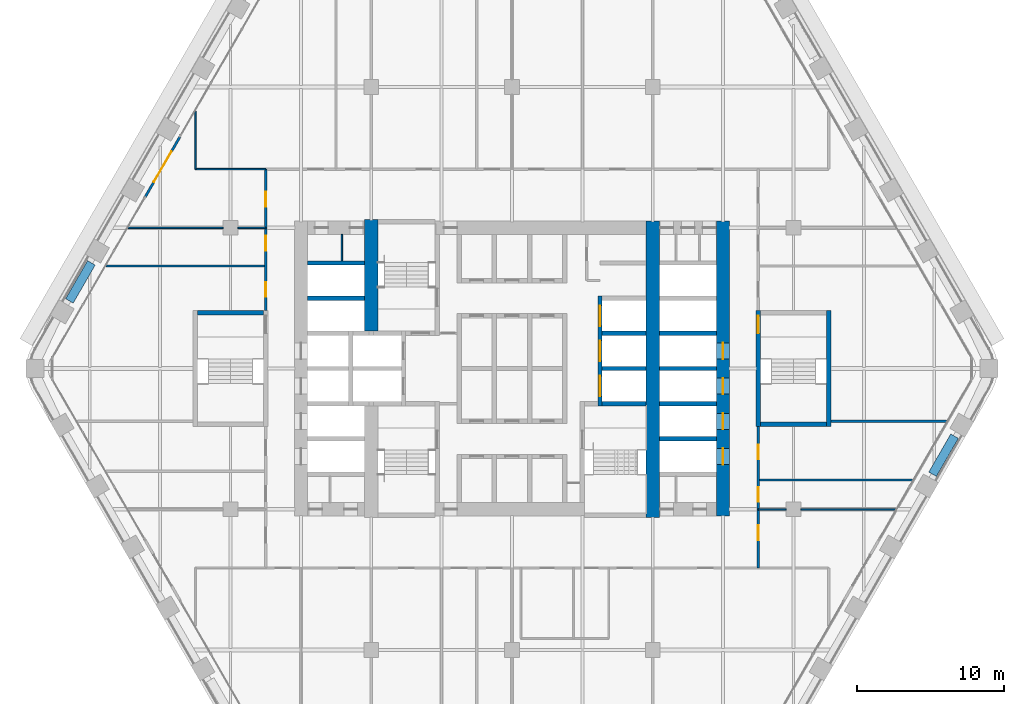
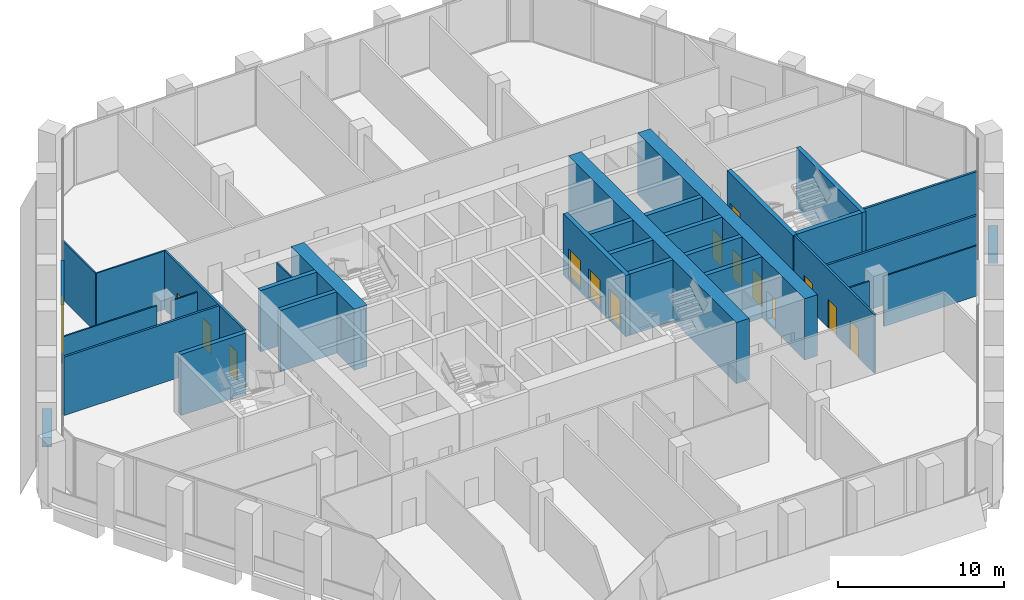
# One storey, part 15 of 23: 32 walls, 15 doors, 15 openings.
"""IFC4 building model written with IfcOpenShell, lengths in metres."""

from ifc_helpers import new_model, si_unit, direction, frame, frame_2d, origin, place, context, subcontext, project, spatial, rectangle, extrude, material, layer, layer_set, type_object, element, fill, save


model = new_model("IFC4")

# Units and contexts
model_context = context("Model", 3, precision=1e-05, world=origin(), true_north=direction((0.0, 1.0)))
body_context = subcontext(model_context, "Body", "Model", "MODEL_VIEW")
ifc_project = project(units=[si_unit("LENGTHUNIT", "METRE"), si_unit("AREAUNIT", "SQUARE_METRE"), si_unit("VOLUMEUNIT", "CUBIC_METRE"), si_unit("PLANEANGLEUNIT", "RADIAN"), si_unit("MASSUNIT", "GRAM", prefix="KILO")], contexts=[model_context])

# Site, building, storey
site_placement = place(None, origin())
site = spatial("IfcSite", under=ifc_project, at=site_placement, CompositionType="ELEMENT")
building_placement = place(site_placement, origin())
building = spatial("IfcBuilding", under=site, at=building_placement, Name="Kolab Exchange Tower", CompositionType="ELEMENT")
storey_placement = place(building_placement, frame((0.0, 0.0, 100.39990234375)))
storey = spatial("IfcBuildingStorey", under=building, at=storey_placement, Name="L19", CompositionType="ELEMENT", Elevation=100.39990234375)

# Walls
ifc_material_1 = material(Name="Concrete C70/85", Category="concrete")
ifc_layer_1 = layer(ifc_material_1, 0.89990234375)
ifc_layer_set_1 = layer_set([ifc_layer_1], Name="Concrete C70/85")
wall_type_1 = type_object("IfcWallType", Name="CORE WALL 900 C70/85", PredefinedType="SHEAR", material=ifc_layer_set_1)
wall_1_placement = place(storey_placement, frame((-9.60009765625, 2.550048828125, -0.199951171875), z_axis=(0.0, 0.0, 1.0), x_axis=(0.0, 1.0, 0.0)))
element("IfcWall", 1, at=wall_1_placement, inside=storey, type_object=wall_type_1, Name="wall/L19/core/062", PredefinedType="SHEAR", context=body_context, shape_type="SweptSolid", body=[
    extrude(rectangle(XDim=7.599853515625, YDim=0.89990234375, at=frame_2d((3.7998046875, 0.0))), origin(), (0.0, 0.0, 1.0), 4.5),
])
wall_2_placement = place(storey_placement, frame((9.60009765625, -10.14990234375, -0.199951171875), z_axis=(0.0, 0.0, 1.0), x_axis=(0.0, 1.0, 0.0)))
element("IfcWall", 2, at=wall_2_placement, inside=storey, type_object=wall_type_1, Name="wall/L19/core/080", PredefinedType="SHEAR", context=body_context, shape_type="SweptSolid", body=[
    extrude(rectangle(XDim=20.199951171875, YDim=0.89990234375, at=frame_2d((10.10009765625, 0.0))), origin(), (0.0, 0.0, 1.0), 4.5),
])

# Wall, openings, doors
wall_3_placement = place(storey_placement, frame((14.39990234375, -10.050048828125, -0.199951171875), z_axis=(0.0, 0.0, 1.0), x_axis=(0.0, 1.0, 0.0)))
wall_3 = element("IfcWall", 3, at=wall_3_placement, inside=storey, type_object=wall_type_1, Name="wall/L19/core/081", PredefinedType="SHEAR", context=body_context, shape_type="SweptSolid", body=[
    extrude(rectangle(XDim=20.10009765625, YDim=0.89990234375, at=frame_2d((10.050048828125, 0.0))), origin(), (0.0, 0.0, 1.0), 4.5),
])
opening_1_placement = place(wall_3_placement, frame((3.5, 0.0, 0.199951171875)))
opening_1 = element("IfcOpeningElement", 4, at=opening_1_placement, cuts=wall_3, Name="Opening LD1-069", PredefinedType="OPENING", context=body_context, shape_type="SweptSolid", body=[
    extrude(rectangle(XDim=1.10009765625, YDim=2.10009765625, at=frame_2d((0.550048828125, 1.050048828125))), frame((0.0, 0.4599609375, 0.0), z_axis=(0.0, -1.0, 0.0), x_axis=(1.0, 0.0, 0.0)), (0.0, 0.0, 1.0), 0.919921875),
])
opening_2_placement = place(wall_3_placement, frame((5.89990234375, 0.0, 0.199951171875)))
opening_2 = element("IfcOpeningElement", 5, at=opening_2_placement, cuts=wall_3, Name="Opening LD1-070", PredefinedType="OPENING", context=body_context, shape_type="SweptSolid", body=[
    extrude(rectangle(XDim=1.10009765625, YDim=2.10009765625, at=frame_2d((0.550048828125, 1.050048828125))), frame((0.0, 0.4599609375, 0.0), z_axis=(0.0, -1.0, 0.0), x_axis=(1.0, 0.0, 0.0)), (0.0, 0.0, 1.0), 0.919921875),
])
opening_3_placement = place(wall_3_placement, frame((8.300048828125, 0.0, 0.199951171875)))
opening_3 = element("IfcOpeningElement", 6, at=opening_3_placement, cuts=wall_3, Name="Opening LD1-071", PredefinedType="OPENING", context=body_context, shape_type="SweptSolid", body=[
    extrude(rectangle(XDim=1.10009765625, YDim=2.10009765625, at=frame_2d((0.550048828125, 1.050048828125))), frame((0.0, 0.4599609375, 0.0), z_axis=(0.0, -1.0, 0.0), x_axis=(1.0, 0.0, 0.0)), (0.0, 0.0, 1.0), 0.919921875),
])
opening_4_placement = place(wall_3_placement, frame((10.699951171875, 0.0, 0.199951171875)))
opening_4 = element("IfcOpeningElement", 7, at=opening_4_placement, cuts=wall_3, Name="Opening LD1-072", PredefinedType="OPENING", context=body_context, shape_type="SweptSolid", body=[
    extrude(rectangle(XDim=1.10009765625, YDim=2.10009765625, at=frame_2d((0.550048828125, 1.050048828125))), frame((0.0, 0.4599609375, 0.0), z_axis=(0.0, -1.0, 0.0), x_axis=(1.0, 0.0, 0.0)), (0.0, 0.0, 1.0), 0.919921875),
])
ifc_material_2 = material(Name="Stainless steel 316", Category="steel")
door_type_1 = type_object("IfcDoorType", Name="LANDING DOOR 1100 PASSENGER", OperationType="DOUBLE_DOOR_SLIDING", PredefinedType="DOOR", material=ifc_material_2)
door_1_placement = place(opening_1_placement, origin())
door_1 = element("IfcDoor", 8, at=door_1_placement, inside=storey, type_object=door_type_1, Name="Landing door LR1", OperationType="DOUBLE_DOOR_SLIDING", OverallHeight=2.10009765625, OverallWidth=1.10009765625, PredefinedType="DOOR", context=body_context, shape_type="SweptSolid", body=[
    extrude(rectangle(XDim=1.10009765625, YDim=2.10009765625, at=frame_2d((0.550048828125, 1.050048828125))), frame((0.0, 0.02490234375, 0.0), z_axis=(0.0, -1.0, 0.0), x_axis=(1.0, 0.0, 0.0)), (0.0, 0.0, 1.0), 0.050048828125),
])
fill(opening_1, door_1)
door_2_placement = place(opening_2_placement, origin())
door_2 = element("IfcDoor", 9, at=door_2_placement, inside=storey, type_object=door_type_1, Name="Landing door LR2", OperationType="DOUBLE_DOOR_SLIDING", OverallHeight=2.10009765625, OverallWidth=1.10009765625, PredefinedType="DOOR", context=body_context, shape_type="SweptSolid", body=[
    extrude(rectangle(XDim=1.10009765625, YDim=2.10009765625, at=frame_2d((0.550048828125, 1.050048828125))), frame((0.0, 0.02490234375, 0.0), z_axis=(0.0, -1.0, 0.0), x_axis=(1.0, 0.0, 0.0)), (0.0, 0.0, 1.0), 0.050048828125),
])
fill(opening_2, door_2)
door_3_placement = place(opening_3_placement, origin())
door_3 = element("IfcDoor", 10, at=door_3_placement, inside=storey, type_object=door_type_1, Name="Landing door LR3", OperationType="DOUBLE_DOOR_SLIDING", OverallHeight=2.10009765625, OverallWidth=1.10009765625, PredefinedType="DOOR", context=body_context, shape_type="SweptSolid", body=[
    extrude(rectangle(XDim=1.10009765625, YDim=2.10009765625, at=frame_2d((0.550048828125, 1.050048828125))), frame((0.0, 0.02490234375, 0.0), z_axis=(0.0, -1.0, 0.0), x_axis=(1.0, 0.0, 0.0)), (0.0, 0.0, 1.0), 0.050048828125),
])
fill(opening_3, door_3)
door_4_placement = place(opening_4_placement, origin())
door_4 = element("IfcDoor", 11, at=door_4_placement, inside=storey, type_object=door_type_1, Name="Landing door LR4", OperationType="DOUBLE_DOOR_SLIDING", OverallHeight=2.10009765625, OverallWidth=1.10009765625, PredefinedType="DOOR", context=body_context, shape_type="SweptSolid", body=[
    extrude(rectangle(XDim=1.10009765625, YDim=2.10009765625, at=frame_2d((0.550048828125, 1.050048828125))), frame((0.0, 0.02490234375, 0.0), z_axis=(0.0, -1.0, 0.0), x_axis=(1.0, 0.0, 0.0)), (0.0, 0.0, 1.0), 0.050048828125),
])
fill(opening_4, door_4)

# Wall, opening, door
ifc_material_3 = material(Name="Aluminium EN AW-6063 T6", Category="aluminium")
ifc_layer_2 = layer(ifc_material_3, 0.159912109375)
ifc_layer_set_2 = layer_set([ifc_layer_2], Name="Aluminium EN AW-6063 T6")
wall_type_2 = type_object("IfcWallType", Name="DOOR SURROUND WALL 160 ALUMINIUM FRAMED", PredefinedType="PARTITIONING", material=ifc_layer_set_2)
wall_4_placement = place(storey_placement, frame((-25.0166015625, 11.706787109375, 0.0), z_axis=(0.0, 0.0, 1.0), x_axis=(0.499978080042, 0.866038058908, 0.0)))
wall_4 = element("IfcWall", 12, at=wall_4_placement, inside=storey, type_object=wall_type_2, Name="Door surround wall", PredefinedType="PARTITIONING", context=body_context, shape_type="SweptSolid", body=[
    extrude(rectangle(XDim=4.739990234375, YDim=0.159912109375, at=frame_2d((2.3701171875, 0.0))), origin(), (0.0, 0.0, 1.0), 4.300048828125),
])
opening_5_placement = place(wall_4_placement, frame((1.169921875, 0.0, 0.0)))
opening_5 = element("IfcOpeningElement", 13, at=opening_5_placement, cuts=wall_4, Name="Opening GD1-039", PredefinedType="OPENING", context=body_context, shape_type="SweptSolid", body=[
    extrude(rectangle(XDim=2.39990234375, YDim=2.39990234375, at=frame_2d((1.199951171875, 1.199951171875))), frame((0.0, 0.08984375, 0.0), z_axis=(0.0, -1.0, 0.0), x_axis=(1.0, 0.0, 0.0)), (0.0, 0.0, 1.0), 0.179931640625),
])
door_type_2 = type_object("IfcDoorType", Name="LOGGIA SLIDING GLASS DOOR 2400 X 2400", OperationType="DOUBLE_DOOR_SINGLE_SWING", PredefinedType="DOOR", material=ifc_material_3)
door_5_placement = place(opening_5_placement, origin())
door_5 = element("IfcDoor", 14, at=door_5_placement, inside=storey, type_object=door_type_2, Name="Loggia door", OperationType="DOUBLE_DOOR_SLIDING", OverallHeight=2.39990234375, OverallWidth=2.39990234375, PredefinedType="DOOR", context=body_context, shape_type="SweptSolid", body=[
    extrude(rectangle(XDim=2.39990234375, YDim=2.39990234375, at=frame_2d((1.199951171875, 1.199951171875))), frame((0.0, 0.02490234375, 0.0), z_axis=(0.0, -1.0, 0.0), x_axis=(1.0, 0.0, 0.0)), (0.0, 0.0, 1.0), 0.050048828125),
])
fill(opening_5, door_5)

# Walls
ifc_material_4 = material(Name="Concrete C50/60", Category="concrete")
ifc_layer_3 = layer(ifc_material_4, 0.300048828125)
ifc_layer_set_3 = layer_set([ifc_layer_3], Name="Concrete C50/60")
wall_type_3 = type_object("IfcWallType", Name="LIFT SHAFT WALL 300 C50/60", PredefinedType="STANDARD", material=ifc_layer_set_3)
for number, where, z_axis, x_axis, name in (
    (15, (10.050048828125, -4.800048828125, -0.199951171875), (0.0, 0.0, 1.0), (1.0, 0.0, 0.0), "wall/L19/core/011"),
    (16, (10.050048828125, -2.39990234375, -0.199951171875), (0.0, 0.0, 1.0), (1.0, 0.0, 0.0), "wall/L19/core/023"),
):
    element("IfcWall", number, at=place(storey_placement, frame(where, z_axis=z_axis, x_axis=x_axis)), inside=storey, type_object=wall_type_3, Name=name, PredefinedType="STANDARD", context=body_context, shape_type="SweptSolid", body=[
        extrude(rectangle(XDim=3.89990234375, YDim=0.300048828125, at=frame_2d((1.949951171875, 0.0))), origin(), (0.0, 0.0, 1.0), 4.5),
    ])
wall_5_placement = place(storey_placement, frame((6.14990234375, 0.0, -0.199951171875), z_axis=(0.0, 0.0, 1.0), x_axis=(1.0, 0.0, 0.0)))
element("IfcWall", 17, at=wall_5_placement, inside=storey, type_object=wall_type_3, Name="wall/L19/core/029", PredefinedType="STANDARD", context=body_context, shape_type="SweptSolid", body=[
    extrude(rectangle(XDim=3.0, YDim=0.300048828125, at=frame_2d((1.5, 0.0))), origin(), (0.0, 0.0, 1.0), 4.5),
])
wall_6_placement = place(storey_placement, frame((10.050048828125, 0.0, -0.199951171875), z_axis=(0.0, 0.0, 1.0), x_axis=(1.0, 0.0, 0.0)))
element("IfcWall", 18, at=wall_6_placement, inside=storey, type_object=wall_type_3, Name="wall/L19/core/030", PredefinedType="STANDARD", context=body_context, shape_type="SweptSolid", body=[
    extrude(rectangle(XDim=3.89990234375, YDim=0.300048828125, at=frame_2d((1.949951171875, 0.0))), origin(), (0.0, 0.0, 1.0), 4.5),
])
wall_7_placement = place(storey_placement, frame((6.14990234375, 2.39990234375, -0.199951171875), z_axis=(0.0, 0.0, 1.0), x_axis=(1.0, 0.0, 0.0)))
element("IfcWall", 19, at=wall_7_placement, inside=storey, type_object=wall_type_3, Name="wall/L19/core/035", PredefinedType="STANDARD", context=body_context, shape_type="SweptSolid", body=[
    extrude(rectangle(XDim=3.0, YDim=0.300048828125, at=frame_2d((1.5, 0.0))), origin(), (0.0, 0.0, 1.0), 4.5),
])
for number, where, z_axis, x_axis, name in (
    (20, (10.050048828125, 2.39990234375, -0.199951171875), (0.0, 0.0, 1.0), (1.0, 0.0, 0.0), "wall/L19/core/036"),
    (21, (-13.949951171875, 4.800048828125, -0.199951171875), (0.0, 0.0, 1.0), (1.0, 0.0, 0.0), "wall/L19/core/042"),
    (22, (-13.949951171875, 7.199951171875, -0.199951171875), (0.0, 0.0, 1.0), (1.0, 0.0, 0.0), "wall/L19/core/048"),
):
    element("IfcWall", number, at=place(storey_placement, frame(where, z_axis=z_axis, x_axis=x_axis)), inside=storey, type_object=wall_type_3, Name=name, PredefinedType="STANDARD", context=body_context, shape_type="SweptSolid", body=[
        extrude(rectangle(XDim=3.89990234375, YDim=0.300048828125, at=frame_2d((1.949951171875, 0.0))), origin(), (0.0, 0.0, 1.0), 4.5),
    ])

# Wall, openings, doors
wall_8_placement = place(storey_placement, frame((6.0, -2.550048828125, -0.199951171875), z_axis=(0.0, 0.0, 1.0), x_axis=(0.0, 1.0, 0.0)))
wall_8 = element("IfcWall", 23, at=wall_8_placement, inside=storey, type_object=wall_type_3, Name="wall/L19/core/079", PredefinedType="STANDARD", context=body_context, shape_type="SweptSolid", body=[
    extrude(rectangle(XDim=7.5, YDim=0.300048828125, at=frame_2d((3.75, 0.0))), origin(), (0.0, 0.0, 1.0), 4.5),
])
opening_6_placement = place(wall_8_placement, frame((0.64990234375, 0.0, 0.199951171875)))
opening_6 = element("IfcOpeningElement", 24, at=opening_6_placement, cuts=wall_8, Name="Opening LD3-025", PredefinedType="OPENING", context=body_context, shape_type="SweptSolid", body=[
    extrude(rectangle(XDim=1.39990234375, YDim=2.10009765625, at=frame_2d((0.699951171875, 1.050048828125))), frame((0.0, 0.16015625, 0.0), z_axis=(0.0, -1.0, 0.0), x_axis=(1.0, 0.0, 0.0)), (0.0, 0.0, 1.0), 0.320068359375),
])
opening_7_placement = place(wall_8_placement, frame((3.050048828125, 0.0, 0.199951171875)))
opening_7 = element("IfcOpeningElement", 25, at=opening_7_placement, cuts=wall_8, Name="Opening LD3-026", PredefinedType="OPENING", context=body_context, shape_type="SweptSolid", body=[
    extrude(rectangle(XDim=1.39990234375, YDim=2.10009765625, at=frame_2d((0.699951171875, 1.050048828125))), frame((0.0, 0.16015625, 0.0), z_axis=(0.0, -1.0, 0.0), x_axis=(1.0, 0.0, 0.0)), (0.0, 0.0, 1.0), 0.320068359375),
])
opening_8_placement = place(wall_8_placement, frame((5.449951171875, 0.0, 0.199951171875)))
opening_8 = element("IfcOpeningElement", 26, at=opening_8_placement, cuts=wall_8, Name="Opening LD3-027", PredefinedType="OPENING", context=body_context, shape_type="SweptSolid", body=[
    extrude(rectangle(XDim=1.39990234375, YDim=2.10009765625, at=frame_2d((0.699951171875, 1.050048828125))), frame((0.0, 0.16015625, 0.0), z_axis=(0.0, -1.0, 0.0), x_axis=(1.0, 0.0, 0.0)), (0.0, 0.0, 1.0), 0.320068359375),
])
door_type_3 = type_object("IfcDoorType", Name="LANDING DOOR 1400 SERVICE", OperationType="DOUBLE_DOOR_SLIDING", PredefinedType="DOOR", material=ifc_material_2)
door_6_placement = place(opening_6_placement, origin())
door_6 = element("IfcDoor", 27, at=door_6_placement, inside=storey, type_object=door_type_3, Name="Landing door SV1", OperationType="DOUBLE_DOOR_SLIDING", OverallHeight=2.10009765625, OverallWidth=1.39990234375, PredefinedType="DOOR", context=body_context, shape_type="SweptSolid", body=[
    extrude(rectangle(XDim=1.39990234375, YDim=2.10009765625, at=frame_2d((0.699951171875, 1.050048828125))), frame((0.0, 0.02490234375, 0.0), z_axis=(0.0, -1.0, 0.0), x_axis=(1.0, 0.0, 0.0)), (0.0, 0.0, 1.0), 0.050048828125),
])
fill(opening_6, door_6)
door_7_placement = place(opening_7_placement, origin())
door_7 = element("IfcDoor", 28, at=door_7_placement, inside=storey, type_object=door_type_3, Name="Landing door SV2", OperationType="DOUBLE_DOOR_SLIDING", OverallHeight=2.10009765625, OverallWidth=1.39990234375, PredefinedType="DOOR", context=body_context, shape_type="SweptSolid", body=[
    extrude(rectangle(XDim=1.39990234375, YDim=2.10009765625, at=frame_2d((0.699951171875, 1.050048828125))), frame((0.0, 0.02490234375, 0.0), z_axis=(0.0, -1.0, 0.0), x_axis=(1.0, 0.0, 0.0)), (0.0, 0.0, 1.0), 0.050048828125),
])
fill(opening_7, door_7)
door_8_placement = place(opening_8_placement, origin())
door_8 = element("IfcDoor", 29, at=door_8_placement, inside=storey, type_object=door_type_3, Name="Landing door SV3", OperationType="DOUBLE_DOOR_SLIDING", OverallHeight=2.10009765625, OverallWidth=1.39990234375, PredefinedType="DOOR", context=body_context, shape_type="SweptSolid", body=[
    extrude(rectangle(XDim=1.39990234375, YDim=2.10009765625, at=frame_2d((0.699951171875, 1.050048828125))), frame((0.0, 0.02490234375, 0.0), z_axis=(0.0, -1.0, 0.0), x_axis=(1.0, 0.0, 0.0)), (0.0, 0.0, 1.0), 0.050048828125),
])
fill(opening_8, door_8)

# Walls
ifc_material_5 = material(Name="Gypsum board", Category="gypsum")
ifc_layer_4 = layer(ifc_material_5, 0.10009765625)
ifc_layer_set_4 = layer_set([ifc_layer_4], Name="Gypsum board")
wall_type_4 = type_object("IfcWallType", Name="PARTITION 100", PredefinedType="PARTITIONING", material=ifc_layer_set_4)
wall_9_placement = place(storey_placement, frame((-11.60009765625, 7.35009765625, 0.0), z_axis=(0.0, 0.0, 1.0), x_axis=(0.0, 1.0, 0.0)))
element("IfcWall", 30, at=wall_9_placement, inside=storey, type_object=wall_type_4, Name="Partition 027", PredefinedType="PARTITIONING", context=body_context, shape_type="SweptSolid", body=[
    extrude(rectangle(XDim=1.7998046875, YDim=0.10009765625, at=frame_2d((0.89990234375, 0.0))), origin(), (0.0, 0.0, 1.0), 4.300048828125),
])
wall_10_placement = place(storey_placement, frame((-21.60009765625, 13.60009765625, 0.0), z_axis=(0.0, 0.0, 1.0), x_axis=(0.0, 1.0, 0.0)))
element("IfcWall", 31, at=wall_10_placement, inside=storey, type_object=wall_type_4, Name="Partition 034", PredefinedType="PARTITIONING", context=body_context, shape_type="SweptSolid", body=[
    extrude(rectangle(XDim=3.944580078125, YDim=0.10009765625, at=frame_2d((1.97216796875, 0.0))), origin(), (0.0, 0.0, 1.0), 4.300048828125),
])
wall_11_placement = place(storey_placement, frame((16.800048828125, -9.60009765625, 0.0), z_axis=(0.0, 0.0, 1.0), x_axis=(1.0, 0.0, 0.0)))
element("IfcWall", 32, at=wall_11_placement, inside=storey, type_object=wall_type_4, Name="Partition 040", PredefinedType="PARTITIONING", context=body_context, shape_type="SweptSolid", body=[
    extrude(rectangle(XDim=1.89990234375, YDim=0.10009765625, at=frame_2d((0.949951171875, 0.0))), origin(), (0.0, 0.0, 1.0), 3.692138671875),
])
for number, where, z_axis, x_axis, name in (
    (33, (19.699951171875, -9.60009765625, 0.0), (0.0, 0.0, 1.0), (1.0, 0.0, 0.0), "Partition 041"),
    (34, (-26.186767578125, 9.60009765625, 0.0), (0.0, 0.0, 1.0), (1.0, 0.0, 0.0), "Partition 050"),
):
    element("IfcWall", number, at=place(storey_placement, frame(where, z_axis=z_axis, x_axis=x_axis)), inside=storey, type_object=wall_type_4, Name=name, PredefinedType="PARTITIONING", context=body_context, shape_type="SweptSolid", body=[
        extrude(rectangle(XDim=6.48681640625, YDim=0.10009765625, at=frame_2d((3.243408203125, 0.0))), origin(), (0.0, 0.0, 1.0), 3.692138671875),
    ])
wall_12_placement = place(storey_placement, frame((-18.699951171875, 9.60009765625, 0.0), z_axis=(0.0, 0.0, 1.0), x_axis=(1.0, 0.0, 0.0)))
element("IfcWall", 35, at=wall_12_placement, inside=storey, type_object=wall_type_4, Name="Partition 051", PredefinedType="PARTITIONING", context=body_context, shape_type="SweptSolid", body=[
    extrude(rectangle(XDim=1.89990234375, YDim=0.10009765625, at=frame_2d((0.949951171875, 0.0))), origin(), (0.0, 0.0, 1.0), 3.692138671875),
])
wall_13_placement = place(storey_placement, frame((-21.60009765625, 13.60009765625, 0.0), z_axis=(0.0, 0.0, 1.0), x_axis=(1.0, 0.0, 0.0)))
element("IfcWall", 36, at=wall_13_placement, inside=storey, type_object=wall_type_4, Name="Partition 054", PredefinedType="PARTITIONING", context=body_context, shape_type="SweptSolid", body=[
    extrude(rectangle(XDim=4.800048828125, YDim=0.10009765625, at=frame_2d((2.39990234375, 0.0))), origin(), (0.0, 0.0, 1.0), 4.300048828125),
])

# Wall, openings, doors
ifc_layer_5 = layer(ifc_material_5, 0.14990234375)
ifc_layer_set_5 = layer_set([ifc_layer_5], Name="Gypsum board")
wall_type_5 = type_object("IfcWallType", Name="PARTITION 150 FIRE-RATED", PredefinedType="PARTITIONING", material=ifc_layer_set_5)
wall_14_placement = place(storey_placement, frame((16.800048828125, -13.60009765625, 0.0), z_axis=(0.0, 0.0, 1.0), x_axis=(0.0, 1.0, 0.0)))
wall_14 = element("IfcWall", 37, at=wall_14_placement, inside=storey, type_object=wall_type_5, Name="Partition 002", PredefinedType="PARTITIONING", context=body_context, shape_type="SweptSolid", body=[
    extrude(rectangle(XDim=9.650146484375, YDim=0.14990234375, at=frame_2d((4.8251953125, 0.0))), origin(), (0.0, 0.0, 1.0), 4.300048828125),
])
opening_9_placement = place(wall_14_placement, frame((1.89501953125, 0.0, 0.0)))
opening_9 = element("IfcOpeningElement", 38, at=opening_9_placement, cuts=wall_14, Name="Opening D1-270", PredefinedType="OPENING", context=body_context, shape_type="SweptSolid", body=[
    extrude(rectangle(XDim=1.0, YDim=2.10009765625, at=frame_2d((0.5, 1.050048828125))), frame((0.0, 0.0849609375, 0.0), z_axis=(0.0, -1.0, 0.0), x_axis=(1.0, 0.0, 0.0)), (0.0, 0.0, 1.0), 0.169921875),
])
opening_10_placement = place(wall_14_placement, frame((4.514892578125, 0.0, 0.0)))
opening_10 = element("IfcOpeningElement", 39, at=opening_10_placement, cuts=wall_14, Name="Opening D1-271", PredefinedType="OPENING", context=body_context, shape_type="SweptSolid", body=[
    extrude(rectangle(XDim=1.0, YDim=2.10009765625, at=frame_2d((0.5, 1.050048828125))), frame((0.0, 0.0849609375, 0.0), z_axis=(0.0, -1.0, 0.0), x_axis=(1.0, 0.0, 0.0)), (0.0, 0.0, 1.0), 0.169921875),
])
opening_11_placement = place(wall_14_placement, frame((7.39990234375, 0.0, 0.0)))
opening_11 = element("IfcOpeningElement", 40, at=opening_11_placement, cuts=wall_14, Name="Opening D1-272", PredefinedType="OPENING", context=body_context, shape_type="SweptSolid", body=[
    extrude(rectangle(XDim=1.0, YDim=2.10009765625, at=frame_2d((0.5, 1.050048828125))), frame((0.0, 0.0849609375, 0.0), z_axis=(0.0, -1.0, 0.0), x_axis=(1.0, 0.0, 0.0)), (0.0, 0.0, 1.0), 0.169921875),
])
ifc_material_6 = material(Name="Steel S235", Category="steel")
door_type_4 = type_object("IfcDoorType", Name="FLUSH DOOR 1000 FD60", OperationType="SINGLE_SWING_LEFT", PredefinedType="DOOR", material=ifc_material_6)
door_9_placement = place(opening_9_placement, frame((1.0, 0.0, 0.0), z_axis=(0.0, 0.0, 1.0), x_axis=(-1.0, 0.0, 0.0)))
door_9 = element("IfcDoor", 41, at=door_9_placement, inside=storey, type_object=door_type_4, Name="Door L19-064", OperationType="SINGLE_SWING_RIGHT", OverallHeight=2.10009765625, OverallWidth=1.0, PredefinedType="DOOR", context=body_context, shape_type="SweptSolid", body=[
    extrude(rectangle(XDim=1.0, YDim=2.10009765625, at=frame_2d((0.5, 1.050048828125))), frame((0.0, 0.02490234375, 0.0), z_axis=(0.0, -1.0, 0.0), x_axis=(1.0, 0.0, 0.0)), (0.0, 0.0, 1.0), 0.050048828125),
])
fill(opening_9, door_9)
door_10_placement = place(opening_10_placement, frame((1.0, 0.0, 0.0), z_axis=(0.0, 0.0, 1.0), x_axis=(-1.0, 0.0, 0.0)))
door_10 = element("IfcDoor", 42, at=door_10_placement, inside=storey, type_object=door_type_4, Name="Door L19-065", OperationType="SINGLE_SWING_RIGHT", OverallHeight=2.10009765625, OverallWidth=1.0, PredefinedType="DOOR", context=body_context, shape_type="SweptSolid", body=[
    extrude(rectangle(XDim=1.0, YDim=2.10009765625, at=frame_2d((0.5, 1.050048828125))), frame((0.0, 0.02490234375, 0.0), z_axis=(0.0, -1.0, 0.0), x_axis=(1.0, 0.0, 0.0)), (0.0, 0.0, 1.0), 0.050048828125),
])
fill(opening_10, door_10)
door_11_placement = place(opening_11_placement, frame((1.0, 0.0, 0.0), z_axis=(0.0, 0.0, 1.0), x_axis=(-1.0, 0.0, 0.0)))
door_11 = element("IfcDoor", 43, at=door_11_placement, inside=storey, type_object=door_type_4, Name="Door L19-066", OperationType="SINGLE_SWING_RIGHT", OverallHeight=2.10009765625, OverallWidth=1.0, PredefinedType="DOOR", context=body_context, shape_type="SweptSolid", body=[
    extrude(rectangle(XDim=1.0, YDim=2.10009765625, at=frame_2d((0.5, 1.050048828125))), frame((0.0, 0.02490234375, 0.0), z_axis=(0.0, -1.0, 0.0), x_axis=(1.0, 0.0, 0.0)), (0.0, 0.0, 1.0), 0.050048828125),
])
fill(opening_11, door_11)

wall_15_placement = place(storey_placement, frame((-16.800048828125, 3.949951171875, 0.0), z_axis=(0.0, 0.0, 1.0), x_axis=(0.0, 1.0, 0.0)))
wall_15 = element("IfcWall", 44, at=wall_15_placement, inside=storey, type_object=wall_type_5, Name="Partition 032", PredefinedType="PARTITIONING", context=body_context, shape_type="SweptSolid", body=[
    extrude(rectangle(XDim=9.650146484375, YDim=0.14990234375, at=frame_2d((4.8251953125, 0.0))), origin(), (0.0, 0.0, 1.0), 4.300048828125),
])
opening_12_placement = place(wall_15_placement, frame((0.949951171875, 0.0, 0.0)))
opening_12 = element("IfcOpeningElement", 45, at=opening_12_placement, cuts=wall_15, Name="Opening D1-279", PredefinedType="OPENING", context=body_context, shape_type="SweptSolid", body=[
    extrude(rectangle(XDim=1.0, YDim=2.10009765625, at=frame_2d((0.5, 1.050048828125))), frame((0.0, 0.0849609375, 0.0), z_axis=(0.0, -1.0, 0.0), x_axis=(1.0, 0.0, 0.0)), (0.0, 0.0, 1.0), 0.169921875),
])
opening_13_placement = place(wall_15_placement, frame((4.094970703125, 0.0, 0.0)))
opening_13 = element("IfcOpeningElement", 46, at=opening_13_placement, cuts=wall_15, Name="Opening D1-280", PredefinedType="OPENING", context=body_context, shape_type="SweptSolid", body=[
    extrude(rectangle(XDim=1.0, YDim=2.10009765625, at=frame_2d((0.5, 1.050048828125))), frame((0.0, 0.0849609375, 0.0), z_axis=(0.0, -1.0, 0.0), x_axis=(1.0, 0.0, 0.0)), (0.0, 0.0, 1.0), 0.169921875),
])
opening_14_placement = place(wall_15_placement, frame((7.094970703125, 0.0, 0.0)))
opening_14 = element("IfcOpeningElement", 47, at=opening_14_placement, cuts=wall_15, Name="Opening D1-281", PredefinedType="OPENING", context=body_context, shape_type="SweptSolid", body=[
    extrude(rectangle(XDim=1.0, YDim=2.10009765625, at=frame_2d((0.5, 1.050048828125))), frame((0.0, 0.0849609375, 0.0), z_axis=(0.0, -1.0, 0.0), x_axis=(1.0, 0.0, 0.0)), (0.0, 0.0, 1.0), 0.169921875),
])
door_12_placement = place(opening_12_placement, origin())
door_12 = element("IfcDoor", 48, at=door_12_placement, inside=storey, type_object=door_type_4, Name="Door L19-073", OperationType="SINGLE_SWING_RIGHT", OverallHeight=2.10009765625, OverallWidth=1.0, PredefinedType="DOOR", context=body_context, shape_type="SweptSolid", body=[
    extrude(rectangle(XDim=1.0, YDim=2.10009765625, at=frame_2d((0.5, 1.050048828125))), frame((0.0, 0.02490234375, 0.0), z_axis=(0.0, -1.0, 0.0), x_axis=(1.0, 0.0, 0.0)), (0.0, 0.0, 1.0), 0.050048828125),
])
fill(opening_12, door_12)
door_13_placement = place(opening_13_placement, origin())
door_13 = element("IfcDoor", 49, at=door_13_placement, inside=storey, type_object=door_type_4, Name="Door L19-074", OperationType="SINGLE_SWING_RIGHT", OverallHeight=2.10009765625, OverallWidth=1.0, PredefinedType="DOOR", context=body_context, shape_type="SweptSolid", body=[
    extrude(rectangle(XDim=1.0, YDim=2.10009765625, at=frame_2d((0.5, 1.050048828125))), frame((0.0, 0.02490234375, 0.0), z_axis=(0.0, -1.0, 0.0), x_axis=(1.0, 0.0, 0.0)), (0.0, 0.0, 1.0), 0.050048828125),
])
fill(opening_13, door_13)
door_14_placement = place(opening_14_placement, origin())
door_14 = element("IfcDoor", 50, at=door_14_placement, inside=storey, type_object=door_type_4, Name="Door L19-075", OperationType="SINGLE_SWING_LEFT", OverallHeight=2.10009765625, OverallWidth=1.0, PredefinedType="DOOR", context=body_context, shape_type="SweptSolid", body=[
    extrude(rectangle(XDim=1.0, YDim=2.10009765625, at=frame_2d((0.5, 1.050048828125))), frame((0.0, 0.02490234375, 0.0), z_axis=(0.0, -1.0, 0.0), x_axis=(1.0, 0.0, 0.0)), (0.0, 0.0, 1.0), 0.050048828125),
])
fill(opening_14, door_14)

# Walls
wall_16_placement = place(storey_placement, frame((16.800048828125, -7.60009765625, 0.0), z_axis=(0.0, 0.0, 1.0), x_axis=(1.0, 0.0, 0.0)))
element("IfcWall", 51, at=wall_16_placement, inside=storey, type_object=wall_type_5, Name="Partition 043", PredefinedType="PARTITIONING", context=body_context, shape_type="SweptSolid", body=[
    extrude(rectangle(XDim=10.54150390625, YDim=0.14990234375, at=frame_2d((5.270751953125, 0.0))), origin(), (0.0, 0.0, 1.0), 4.300048828125),
])
wall_17_placement = place(storey_placement, frame((21.75, -3.60009765625, 0.0), z_axis=(0.0, 0.0, 1.0), x_axis=(1.0, 0.0, 0.0)))
element("IfcWall", 52, at=wall_17_placement, inside=storey, type_object=wall_type_5, Name="Partition 046", PredefinedType="PARTITIONING", context=body_context, shape_type="SweptSolid", body=[
    extrude(rectangle(XDim=7.90087890625, YDim=0.14990234375, at=frame_2d((3.950439453125, 0.0))), origin(), (0.0, 0.0, 1.0), 4.300048828125),
])
wall_18_placement = place(storey_placement, frame((-27.68798828125, 7.0, 0.0), z_axis=(0.0, 0.0, 1.0), x_axis=(1.0, 0.0, 0.0)))
element("IfcWall", 53, at=wall_18_placement, inside=storey, type_object=wall_type_5, Name="Partition 048", PredefinedType="PARTITIONING", context=body_context, shape_type="SweptSolid", body=[
    extrude(rectangle(XDim=10.887939453125, YDim=0.14990234375, at=frame_2d((5.44384765625, 0.0))), origin(), (0.0, 0.0, 1.0), 4.300048828125),
])
ifc_material_7 = material(Name="Granite facing", Category="masonry")
ifc_layer_6 = layer(ifc_material_7, 0.0400390625)
ifc_material_8 = material(Name="Concrete C40/50 precast", Category="concrete")
ifc_layer_7 = layer(ifc_material_8, 0.56005859375)
ifc_layer_set_6 = layer_set([ifc_layer_6, ifc_layer_7], Name="Concrete C40/50 precast")
wall_type_6 = type_object("IfcWallType", Name="PLANTER BOX 600 X 700 SOIL DEPTH 550", PredefinedType="USERDEFINED", material=ifc_layer_set_6)
for number, where, z_axis, x_axis, name in (
    (54, (30.18701171875, -4.611328125, 0.0), (0.0, 0.0, 1.0), (-0.499990139034, -0.866031096941, 0.0), "Planter"),
    (55, (-30.18701171875, 4.611328125, 0.0), (0.0, 0.0, 1.0), (0.499990139034, 0.866031096941, 0.0), "Planter"),
):
    element("IfcWall", number, at=place(storey_placement, frame(where, z_axis=z_axis, x_axis=x_axis)), inside=storey, type_object=wall_type_6, Name=name, ObjectType="PLANTER", PredefinedType="USERDEFINED", context=body_context, shape_type="SweptSolid", body=[
        extrude(rectangle(XDim=3.0, YDim=0.60009765625, at=frame_2d((1.5, 0.0))), origin(), (0.0, 0.0, 1.0), 0.7001953125),
    ])
ifc_layer_8 = layer(ifc_material_4, 0.300048828125)
ifc_layer_set_7 = layer_set([ifc_layer_8], Name="Concrete C50/60")
wall_type_7 = type_object("IfcWallType", Name="STAIR ENCLOSURE WALL 300 C50/60", PredefinedType="STANDARD", material=ifc_layer_set_7)
wall_19_placement = place(storey_placement, frame((16.949951171875, -3.800048828125, -0.199951171875), z_axis=(0.0, 0.0, 1.0), x_axis=(1.0, 0.0, 0.0)))
element("IfcWall", 56, at=wall_19_placement, inside=storey, type_object=wall_type_7, Name="wall/L19/core/013", PredefinedType="STANDARD", context=body_context, shape_type="SweptSolid", body=[
    extrude(rectangle(XDim=4.5, YDim=0.300048828125, at=frame_2d((2.25, 0.0))), origin(), (0.0, 0.0, 1.0), 4.5),
])
wall_20_placement = place(storey_placement, frame((6.14990234375, -2.39990234375, -0.199951171875), z_axis=(0.0, 0.0, 1.0), x_axis=(1.0, 0.0, 0.0)))
element("IfcWall", 57, at=wall_20_placement, inside=storey, type_object=wall_type_7, Name="wall/L19/core/022", PredefinedType="STANDARD", context=body_context, shape_type="SweptSolid", body=[
    extrude(rectangle(XDim=3.0, YDim=0.300048828125, at=frame_2d((1.5, 0.0))), origin(), (0.0, 0.0, 1.0), 4.5),
])
wall_21_placement = place(storey_placement, frame((-21.449951171875, 3.800048828125, -0.199951171875), z_axis=(0.0, 0.0, 1.0), x_axis=(1.0, 0.0, 0.0)))
element("IfcWall", 58, at=wall_21_placement, inside=storey, type_object=wall_type_7, Name="wall/L19/core/040", PredefinedType="STANDARD", context=body_context, shape_type="SweptSolid", body=[
    extrude(rectangle(XDim=4.5, YDim=0.300048828125, at=frame_2d((2.25, 0.0))), origin(), (0.0, 0.0, 1.0), 4.5),
])

# Wall, opening, door
wall_22_placement = place(storey_placement, frame((16.800048828125, -3.949951171875, -0.199951171875), z_axis=(0.0, 0.0, 1.0), x_axis=(0.0, 1.0, 0.0)))
wall_22 = element("IfcWall", 59, at=wall_22_placement, inside=storey, type_object=wall_type_7, Name="wall/L19/core/082", PredefinedType="STANDARD", context=body_context, shape_type="SweptSolid", body=[
    extrude(rectangle(XDim=7.89990234375, YDim=0.300048828125, at=frame_2d((3.949951171875, 0.0))), origin(), (0.0, 0.0, 1.0), 4.5),
])
opening_15_placement = place(wall_22_placement, frame((6.35009765625, 0.0, 0.199951171875)))
opening_15 = element("IfcOpeningElement", 60, at=opening_15_placement, cuts=wall_22, Name="Opening D4-047", PredefinedType="OPENING", context=body_context, shape_type="SweptSolid", body=[
    extrude(rectangle(XDim=1.199951171875, YDim=2.10009765625, at=frame_2d((0.60009765625, 1.050048828125))), frame((0.0, 0.16015625, 0.0), z_axis=(0.0, -1.0, 0.0), x_axis=(1.0, 0.0, 0.0)), (0.0, 0.0, 1.0), 0.320068359375),
])
door_type_5 = type_object("IfcDoorType", Name="STAIR DOOR 1200 EI 120", OperationType="SINGLE_SWING_LEFT", PredefinedType="DOOR", material=ifc_material_6)
door_15_placement = place(opening_15_placement, frame((1.199951171875, 0.0, 0.0), z_axis=(0.0, 0.0, 1.0), x_axis=(-1.0, 0.0, 0.0)))
door_15 = element("IfcDoor", 61, at=door_15_placement, inside=storey, type_object=door_type_5, Name="Stair 4 door", OperationType="SINGLE_SWING_RIGHT", OverallHeight=2.10009765625, OverallWidth=1.199951171875, PredefinedType="DOOR", context=body_context, shape_type="SweptSolid", body=[
    extrude(rectangle(XDim=1.199951171875, YDim=2.10009765625, at=frame_2d((0.60009765625, 1.050048828125))), frame((0.0, 0.02490234375, 0.0), z_axis=(0.0, -1.0, 0.0), x_axis=(1.0, 0.0, 0.0)), (0.0, 0.0, 1.0), 0.050048828125),
])
fill(opening_15, door_15)

# Wall
wall_23_placement = place(storey_placement, frame((21.60009765625, -3.949951171875, -0.199951171875), z_axis=(0.0, 0.0, 1.0), x_axis=(0.0, 1.0, 0.0)))
element("IfcWall", 62, at=wall_23_placement, inside=storey, type_object=wall_type_7, Name="wall/L19/core/083", PredefinedType="STANDARD", context=body_context, shape_type="SweptSolid", body=[
    extrude(rectangle(XDim=7.89990234375, YDim=0.300048828125, at=frame_2d((3.949951171875, 0.0))), origin(), (0.0, 0.0, 1.0), 4.5),
])

save(model, "model.ifc")
